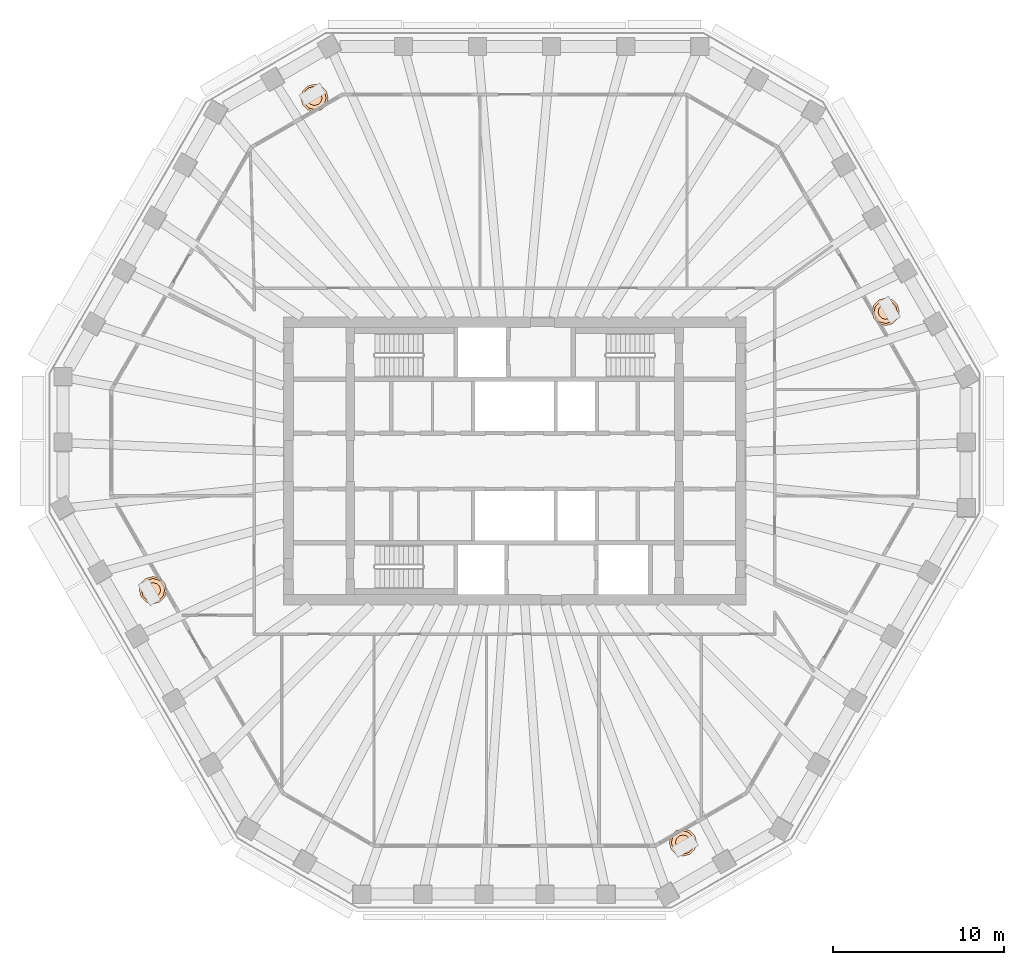
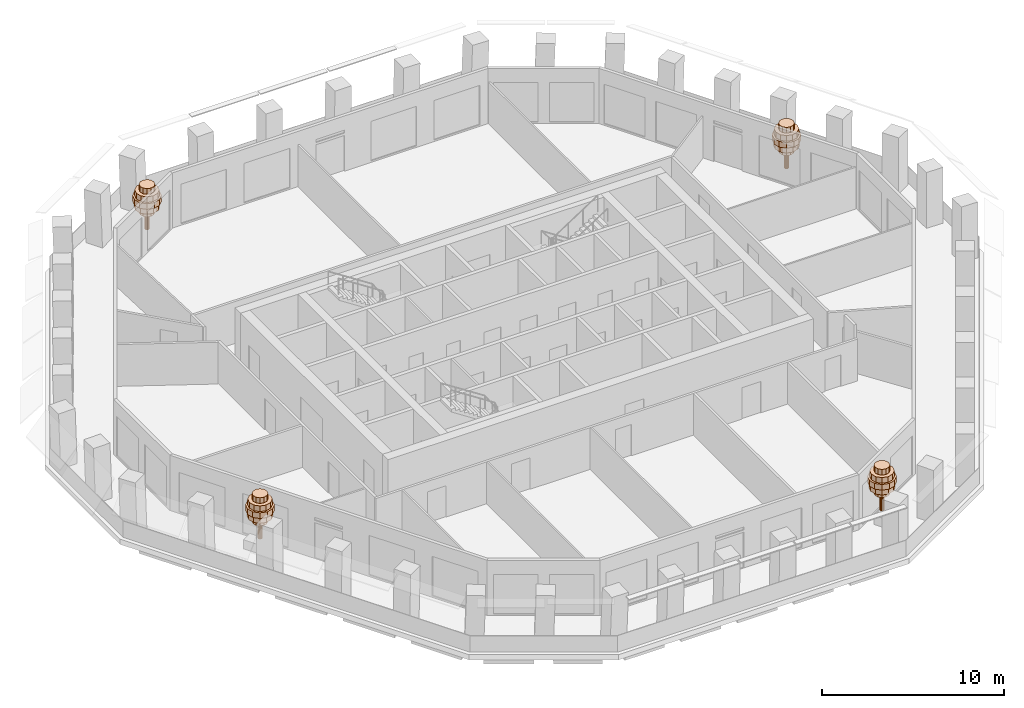
# One storey, part 12 of 12: 4 geographic elements.
"""IFC4 building model written with IfcOpenShell, lengths in metres."""

import ifcopenshell
import ifcopenshell.guid

model = None  # the IFC model being written
_history = None  # IfcOwnerHistory: only IFC2X3 demands one
_inside = {}  # id of a spatial element -> (the spatial element, [elements in it])
_under = {}  # id of a project, library or spatial element -> (it, [spatial elements below it])
_declared = {}  # id of a project -> (the project, [libraries it declares])
_typed = {}  # id of a type object -> (the type object, [elements of that type])
_made_of = {}  # id of a material, layer set ... -> (it, [elements and type objects made of it])


def new_model(schema):
    """Start an empty IFC model of exactly this schema.

    Asked for "IFC4X3", IfcOpenShell would pick the latest addendum, in which some entities
    have other attributes; the version numbers below select the first issue.
    IFC2X3 requires an IfcOwnerHistory on every rooted entity: one is made here for all.
    """
    global model, _history
    if schema == "IFC4X3":
        model = ifcopenshell.file(schema_version=(4, 3, 0, 0))
    else:
        model = ifcopenshell.file(schema=schema)
    _inside.clear()
    _under.clear()
    _declared.clear()
    _typed.clear()
    _made_of.clear()
    _history = None
    if model.schema == "IFC2X3":
        org = make("IfcOrganization", Name="unknown")
        user = make(
            "IfcPersonAndOrganization",
            ThePerson=make("IfcPerson", FamilyName="unknown"),
            TheOrganization=org,
        )
        app = make(
            "IfcApplication",
            ApplicationDeveloper=org,
            Version="unknown",
            ApplicationFullName="unknown",
            ApplicationIdentifier="unknown",
        )
        _history = make(
            "IfcOwnerHistory",
            OwningUser=user,
            OwningApplication=app,
            ChangeAction="ADDED",
            CreationDate=0,
        )
    return model


def make(cls, **values):
    """One entity of the class cls with the attributes given. An attribute that is None is left unset."""
    return model.create_entity(
        cls, **{name: value for name, value in values.items() if value is not None}
    )


def rooted(cls, **values):
    """An entity with a GlobalId (a new one), such as an element, a storey or a relation."""
    return make(cls, GlobalId=ifcopenshell.guid.new(), OwnerHistory=_history, **values)


def si_unit(unit_type, name, prefix=None):
    """IfcSIUnit, for example si_unit("LENGTHUNIT", "METRE", prefix="MILLI")."""
    return make("IfcSIUnit", UnitType=unit_type, Prefix=prefix, Name=name)


def assignment(units):
    """IfcUnitAssignment: the units of a project."""
    return None if units is None else make("IfcUnitAssignment", Units=units)


def point(xyz):
    """IfcCartesianPoint."""
    return None if xyz is None else make("IfcCartesianPoint", Coordinates=xyz)


def direction(xyz):
    """IfcDirection."""
    return None if xyz is None else make("IfcDirection", DirectionRatios=xyz)


def frame(location, z_axis=None, x_axis=None):
    """IfcAxis2Placement3D, a coordinate frame: its origin and axes. An axis left out is left unset."""
    return make(
        "IfcAxis2Placement3D",
        Location=point(location),
        Axis=direction(z_axis),
        RefDirection=direction(x_axis),
    )


def origin():
    """The frame at (0, 0, 0) with its axes left unset."""
    return frame((0.0, 0.0, 0.0))


def place(relative_to, where):
    """IfcLocalPlacement: puts the frame where relative to a parent placement (None: the world)."""
    return make(
        "IfcLocalPlacement", PlacementRelTo=relative_to, RelativePlacement=where
    )


def context(
    kind, dimensions, precision=None, world=None, true_north=None, identifier=None
):
    """IfcGeometricRepresentationContext, for example the 3D "Model" context."""
    return make(
        "IfcGeometricRepresentationContext",
        ContextIdentifier=identifier,
        ContextType=kind,
        CoordinateSpaceDimension=dimensions,
        Precision=precision,
        WorldCoordinateSystem=world,
        TrueNorth=true_north,
    )


def subcontext(parent, identifier, kind, view, scale=None):
    """IfcGeometricRepresentationSubContext, for example "Body" below "Model"."""
    return make(
        "IfcGeometricRepresentationSubContext",
        ContextIdentifier=identifier,
        ContextType=kind,
        ParentContext=parent,
        TargetScale=scale,
        TargetView=view,
    )


def project(units=None, contexts=None):
    """IfcProject with its units and contexts."""
    return rooted(
        "IfcProject",
        Name="project",
        RepresentationContexts=contexts,
        UnitsInContext=assignment(units),
    )


def spatial(cls, under=None, at=None, **own):
    """A site, building, storey or space (cls), placed at a placement, below another one or the project."""
    s = rooted(cls, ObjectPlacement=at, **own)
    if under is not None:
        _under.setdefault(under.id(), (under, []))[1].append(s)
    return s


def polyline(points):
    """IfcPolyline through the points."""
    return make("IfcPolyline", Points=[point(p) for p in points])


def outline(outer, holes=None, kind="AREA"):
    """IfcArbitraryClosedProfileDef: a profile drawn as a closed curve; with holes, ...WithVoids."""
    if holes is None:
        return make("IfcArbitraryClosedProfileDef", ProfileType=kind, OuterCurve=outer)
    return make(
        "IfcArbitraryProfileDefWithVoids",
        ProfileType=kind,
        OuterCurve=outer,
        InnerCurves=holes,
    )


def extrude(swept, where, along, depth):
    """IfcExtrudedAreaSolid: the profile swept, set in the frame where, extruded along a direction by depth."""
    return make(
        "IfcExtrudedAreaSolid",
        SweptArea=swept,
        Position=where,
        ExtrudedDirection=direction(along),
        Depth=depth,
    )


def shape(context_of_items, identifier, shape_type, items):
    """IfcShapeRepresentation: the items that make up one representation, for example the "Body"."""
    return make(
        "IfcShapeRepresentation",
        ContextOfItems=context_of_items,
        RepresentationIdentifier=identifier,
        RepresentationType=shape_type,
        Items=items,
    )


def material(Name=None, Category=None):
    """IfcMaterial."""
    return make("IfcMaterial", Name=Name, Category=Category)


def made_of(thing, what):
    """Note that an element or type object is made of a material, layer set ...; save() writes the relation."""
    if what is not None:
        _made_of.setdefault(what.id(), (what, []))[1].append(thing)
    return thing


def type_object(cls, material=None, **own):
    """A type object (cls), such as IfcWallType, which elements share."""
    return made_of(rooted(cls, **own), material)


def element(
    cls,
    number,
    at=None,
    inside=None,
    cuts=None,
    type_object=None,
    material=None,
    context=None,
    identifier="Body",
    shape_type=None,
    held_by="IfcProductDefinitionShape",
    body=None,
    shapes=None,
    **own,
):
    """One element of the class cls, such as IfcWall. Its Tag is "e" and its number.

    at: its placement. inside: the storey or other place that contains it. cuts: it is an
    opening in that element (IfcRelVoidsElement). A single representation is given by context,
    identifier, shape_type and body (its items); several are given by shapes. held_by: the class
    of the entity that holds the representations. save() writes the other relations.
    """
    e = rooted(cls, Tag="e%d" % number, ObjectPlacement=at, **own)
    if body is not None:
        shapes = [shape(context, identifier, shape_type, body)]
    if shapes is not None:
        e.Representation = make(held_by, Representations=shapes)
    if inside is not None:
        _inside.setdefault(inside.id(), (inside, []))[1].append(e)
    if cuts is not None:
        rooted(
            "IfcRelVoidsElement", RelatingBuildingElement=cuts, RelatedOpeningElement=e
        )
    if type_object is not None:
        _typed.setdefault(type_object.id(), (type_object, []))[1].append(e)
    return made_of(e, material)


def aggregate(whole, parts):
    """IfcRelAggregates: a whole, such as a stair, and the parts it consists of."""
    return rooted("IfcRelAggregates", RelatingObject=whole, RelatedObjects=parts)


def save(model, path):
    """Write the relations noted so far, then the file.

    IfcRelAggregates (storeys below a building ...), IfcRelContainedInSpatialStructure (elements
    in a storey), IfcRelDefinesByType, IfcRelAssociatesMaterial and IfcRelDeclares: one each for
    every whole, place, type object, material and project.
    """
    for whole, parts in _under.values():
        aggregate(whole, parts)
    for where, things in _inside.values():
        rooted(
            "IfcRelContainedInSpatialStructure",
            RelatedElements=things,
            RelatingStructure=where,
        )
    for kind, things in _typed.values():
        rooted("IfcRelDefinesByType", RelatedObjects=things, RelatingType=kind)
    for what, things in _made_of.values():
        rooted("IfcRelAssociatesMaterial", RelatedObjects=things, RelatingMaterial=what)
    for by, libraries in _declared.values():
        rooted("IfcRelDeclares", RelatingContext=by, RelatedDefinitions=libraries)
    model.write(path)


model = new_model("IFC4")

# Units and contexts
model_context = context("Model", 3, precision=1e-05, world=origin(), true_north=direction((0.0, 1.0)))
body_context = subcontext(model_context, "Body", "Model", "MODEL_VIEW")
ifc_project = project(units=[si_unit("LENGTHUNIT", "METRE"), si_unit("AREAUNIT", "SQUARE_METRE"), si_unit("VOLUMEUNIT", "CUBIC_METRE"), si_unit("PLANEANGLEUNIT", "RADIAN"), si_unit("MASSUNIT", "GRAM", prefix="KILO")], contexts=[model_context])

# Site, building, storey
site_placement = place(None, origin())
site = spatial("IfcSite", under=ifc_project, at=site_placement, CompositionType="ELEMENT")
building_placement = place(site_placement, origin())
building = spatial("IfcBuilding", under=site, at=building_placement, Name="Frailejon Research Tower", CompositionType="ELEMENT")
storey_placement = place(building_placement, frame((0.0, 0.0, 245.39990234375)))
storey = spatial("IfcBuildingStorey", under=building, at=storey_placement, Name="L53", CompositionType="ELEMENT", Elevation=245.39990234375)

# Geographic elements
ifc_material = material(Name="Foliage, green")
geographic_element_type = type_object("IfcGeographicElementType", Name="Frailejon tree, loggia", PredefinedType="USERDEFINED", material=ifc_material)
geographic_element_1_placement = place(storey_placement, frame((21.663818359375, 8.714111328125, 0.60009765625)))
element("IfcGeographicElement", 1, at=geographic_element_1_placement, inside=storey, type_object=geographic_element_type, Name="Tree L53", ObjectType="TREE", PredefinedType="USERDEFINED", context=body_context, shape_type="SweptSolid", body=[
    extrude(outline(polyline([(0.1298828125, 0.0), (0.112548828125, 0.06494140625), (0.06494140625, 0.112548828125), (0.0, 0.1298828125), (-0.06494140625, 0.112548828125), (-0.112548828125, 0.06494140625), (-0.1298828125, 0.0), (-0.112548828125, -0.06494140625), (-0.06494140625, -0.112548828125), (0.0, -0.1298828125), (0.06494140625, -0.112548828125), (0.112548828125, -0.06494140625), (0.1298828125, 0.0)])), origin(), (0.0, 0.0, 1.0), 2.239990234375),
    extrude(outline(polyline([(0.43994140625, 0.0), (0.381103515625, 0.219970703125), (0.219970703125, 0.381103515625), (0.0, 0.43994140625), (-0.219970703125, 0.381103515625), (-0.381103515625, 0.219970703125), (-0.43994140625, 0.0), (-0.381103515625, -0.219970703125), (-0.219970703125, -0.381103515625), (0.0, -0.43994140625), (0.219970703125, -0.381103515625), (0.381103515625, -0.219970703125), (0.43994140625, 0.0)])), frame((0.0, 0.0, 1.10009765625)), (0.0, 0.0, 1.0), 0.3798828125),
    extrude(outline(polyline([(0.719970703125, 0.0), (0.62353515625, 0.360107421875), (0.360107421875, 0.62353515625), (0.0, 0.719970703125), (-0.360107421875, 0.62353515625), (-0.62353515625, 0.360107421875), (-0.719970703125, 0.0), (-0.62353515625, -0.360107421875), (-0.360107421875, -0.62353515625), (0.0, -0.719970703125), (0.360107421875, -0.62353515625), (0.62353515625, -0.360107421875), (0.719970703125, 0.0)])), frame((0.0, 0.0, 1.47998046875)), (0.0, 0.0, 1.0), 0.3798828125),
    extrude(outline(polyline([(0.800048828125, 0.0), (0.69287109375, 0.39990234375), (0.39990234375, 0.69287109375), (0.0, 0.800048828125), (-0.39990234375, 0.69287109375), (-0.69287109375, 0.39990234375), (-0.800048828125, 0.0), (-0.69287109375, -0.39990234375), (-0.39990234375, -0.69287109375), (0.0, -0.800048828125), (0.39990234375, -0.69287109375), (0.69287109375, -0.39990234375), (0.800048828125, 0.0)])), frame((0.0, 0.0, 1.860107421875)), (0.0, 0.0, 1.0), 0.3798828125),
    extrude(outline(polyline([(0.679931640625, 0.0), (0.5888671875, 0.340087890625), (0.340087890625, 0.5888671875), (0.0, 0.679931640625), (-0.340087890625, 0.5888671875), (-0.5888671875, 0.340087890625), (-0.679931640625, 0.0), (-0.5888671875, -0.340087890625), (-0.340087890625, -0.5888671875), (0.0, -0.679931640625), (0.340087890625, -0.5888671875), (0.5888671875, -0.340087890625), (0.679931640625, 0.0)])), frame((0.0, 0.0, 2.239990234375)), (0.0, 0.0, 1.0), 0.3798828125),
    extrude(outline(polyline([(0.43994140625, 0.0), (0.381103515625, 0.219970703125), (0.219970703125, 0.381103515625), (0.0, 0.43994140625), (-0.219970703125, 0.381103515625), (-0.381103515625, 0.219970703125), (-0.43994140625, 0.0), (-0.381103515625, -0.219970703125), (-0.219970703125, -0.381103515625), (0.0, -0.43994140625), (0.219970703125, -0.381103515625), (0.381103515625, -0.219970703125), (0.43994140625, 0.0)])), frame((0.0, 0.0, 2.6201171875)), (0.0, 0.0, 1.0), 0.3798828125),
])
geographic_element_2_placement = place(storey_placement, frame((-11.68212890625, 21.200439453125, 0.60009765625)))
element("IfcGeographicElement", 2, at=geographic_element_2_placement, inside=storey, type_object=geographic_element_type, Name="Tree L53", ObjectType="TREE", PredefinedType="USERDEFINED", context=body_context, shape_type="SweptSolid", body=[
    extrude(outline(polyline([(0.1298828125, 0.0), (0.112548828125, 0.06494140625), (0.06494140625, 0.112548828125), (0.0, 0.1298828125), (-0.06494140625, 0.112548828125), (-0.112548828125, 0.06494140625), (-0.1298828125, 0.0), (-0.112548828125, -0.06494140625), (-0.06494140625, -0.112548828125), (0.0, -0.1298828125), (0.06494140625, -0.112548828125), (0.112548828125, -0.06494140625), (0.1298828125, 0.0)])), origin(), (0.0, 0.0, 1.0), 2.239990234375),
    extrude(outline(polyline([(0.43994140625, 0.0), (0.381103515625, 0.219970703125), (0.219970703125, 0.381103515625), (0.0, 0.43994140625), (-0.219970703125, 0.381103515625), (-0.381103515625, 0.219970703125), (-0.43994140625, 0.0), (-0.381103515625, -0.219970703125), (-0.219970703125, -0.381103515625), (0.0, -0.43994140625), (0.219970703125, -0.381103515625), (0.381103515625, -0.219970703125), (0.43994140625, 0.0)])), frame((0.0, 0.0, 1.10009765625)), (0.0, 0.0, 1.0), 0.3798828125),
    extrude(outline(polyline([(0.719970703125, 0.0), (0.62353515625, 0.360107421875), (0.360107421875, 0.62353515625), (0.0, 0.719970703125), (-0.360107421875, 0.62353515625), (-0.62353515625, 0.360107421875), (-0.719970703125, 0.0), (-0.62353515625, -0.360107421875), (-0.360107421875, -0.62353515625), (0.0, -0.719970703125), (0.360107421875, -0.62353515625), (0.62353515625, -0.360107421875), (0.719970703125, 0.0)])), frame((0.0, 0.0, 1.47998046875)), (0.0, 0.0, 1.0), 0.3798828125),
    extrude(outline(polyline([(0.800048828125, 0.0), (0.69287109375, 0.39990234375), (0.39990234375, 0.69287109375), (0.0, 0.800048828125), (-0.39990234375, 0.69287109375), (-0.69287109375, 0.39990234375), (-0.800048828125, 0.0), (-0.69287109375, -0.39990234375), (-0.39990234375, -0.69287109375), (0.0, -0.800048828125), (0.39990234375, -0.69287109375), (0.69287109375, -0.39990234375), (0.800048828125, 0.0)])), frame((0.0, 0.0, 1.860107421875)), (0.0, 0.0, 1.0), 0.3798828125),
    extrude(outline(polyline([(0.679931640625, 0.0), (0.5888671875, 0.340087890625), (0.340087890625, 0.5888671875), (0.0, 0.679931640625), (-0.340087890625, 0.5888671875), (-0.5888671875, 0.340087890625), (-0.679931640625, 0.0), (-0.5888671875, -0.340087890625), (-0.340087890625, -0.5888671875), (0.0, -0.679931640625), (0.340087890625, -0.5888671875), (0.5888671875, -0.340087890625), (0.679931640625, 0.0)])), frame((0.0, 0.0, 2.239990234375)), (0.0, 0.0, 1.0), 0.3798828125),
    extrude(outline(polyline([(0.43994140625, 0.0), (0.381103515625, 0.219970703125), (0.219970703125, 0.381103515625), (0.0, 0.43994140625), (-0.219970703125, 0.381103515625), (-0.381103515625, 0.219970703125), (-0.43994140625, 0.0), (-0.381103515625, -0.219970703125), (-0.219970703125, -0.381103515625), (0.0, -0.43994140625), (0.219970703125, -0.381103515625), (0.381103515625, -0.219970703125), (0.43994140625, 0.0)])), frame((0.0, 0.0, 2.6201171875)), (0.0, 0.0, 1.0), 0.3798828125),
])
geographic_element_3_placement = place(storey_placement, frame((-21.108642578125, -7.538818359375, 0.60009765625)))
element("IfcGeographicElement", 3, at=geographic_element_3_placement, inside=storey, type_object=geographic_element_type, Name="Tree L53", ObjectType="TREE", PredefinedType="USERDEFINED", context=body_context, shape_type="SweptSolid", body=[
    extrude(outline(polyline([(0.1298828125, 0.0), (0.112548828125, 0.06494140625), (0.06494140625, 0.112548828125), (0.0, 0.1298828125), (-0.06494140625, 0.112548828125), (-0.112548828125, 0.06494140625), (-0.1298828125, 0.0), (-0.112548828125, -0.06494140625), (-0.06494140625, -0.112548828125), (0.0, -0.1298828125), (0.06494140625, -0.112548828125), (0.112548828125, -0.06494140625), (0.1298828125, 0.0)])), origin(), (0.0, 0.0, 1.0), 2.239990234375),
    extrude(outline(polyline([(0.43994140625, 0.0), (0.381103515625, 0.219970703125), (0.219970703125, 0.381103515625), (0.0, 0.43994140625), (-0.219970703125, 0.381103515625), (-0.381103515625, 0.219970703125), (-0.43994140625, 0.0), (-0.381103515625, -0.219970703125), (-0.219970703125, -0.381103515625), (0.0, -0.43994140625), (0.219970703125, -0.381103515625), (0.381103515625, -0.219970703125), (0.43994140625, 0.0)])), frame((0.0, 0.0, 1.10009765625)), (0.0, 0.0, 1.0), 0.3798828125),
    extrude(outline(polyline([(0.719970703125, 0.0), (0.62353515625, 0.360107421875), (0.360107421875, 0.62353515625), (0.0, 0.719970703125), (-0.360107421875, 0.62353515625), (-0.62353515625, 0.360107421875), (-0.719970703125, 0.0), (-0.62353515625, -0.360107421875), (-0.360107421875, -0.62353515625), (0.0, -0.719970703125), (0.360107421875, -0.62353515625), (0.62353515625, -0.360107421875), (0.719970703125, 0.0)])), frame((0.0, 0.0, 1.47998046875)), (0.0, 0.0, 1.0), 0.3798828125),
    extrude(outline(polyline([(0.800048828125, 0.0), (0.69287109375, 0.39990234375), (0.39990234375, 0.69287109375), (0.0, 0.800048828125), (-0.39990234375, 0.69287109375), (-0.69287109375, 0.39990234375), (-0.800048828125, 0.0), (-0.69287109375, -0.39990234375), (-0.39990234375, -0.69287109375), (0.0, -0.800048828125), (0.39990234375, -0.69287109375), (0.69287109375, -0.39990234375), (0.800048828125, 0.0)])), frame((0.0, 0.0, 1.860107421875)), (0.0, 0.0, 1.0), 0.3798828125),
    extrude(outline(polyline([(0.679931640625, 0.0), (0.5888671875, 0.340087890625), (0.340087890625, 0.5888671875), (0.0, 0.679931640625), (-0.340087890625, 0.5888671875), (-0.5888671875, 0.340087890625), (-0.679931640625, 0.0), (-0.5888671875, -0.340087890625), (-0.340087890625, -0.5888671875), (0.0, -0.679931640625), (0.340087890625, -0.5888671875), (0.5888671875, -0.340087890625), (0.679931640625, 0.0)])), frame((0.0, 0.0, 2.239990234375)), (0.0, 0.0, 1.0), 0.3798828125),
    extrude(outline(polyline([(0.43994140625, 0.0), (0.381103515625, 0.219970703125), (0.219970703125, 0.381103515625), (0.0, 0.43994140625), (-0.219970703125, 0.381103515625), (-0.381103515625, 0.219970703125), (-0.43994140625, 0.0), (-0.381103515625, -0.219970703125), (-0.219970703125, -0.381103515625), (0.0, -0.43994140625), (0.219970703125, -0.381103515625), (0.381103515625, -0.219970703125), (0.43994140625, 0.0)])), frame((0.0, 0.0, 2.6201171875)), (0.0, 0.0, 1.0), 0.3798828125),
])
geographic_element_4_placement = place(storey_placement, frame((9.83154296875, -22.26904296875, 0.60009765625)))
element("IfcGeographicElement", 4, at=geographic_element_4_placement, inside=storey, type_object=geographic_element_type, Name="Tree L53", ObjectType="TREE", PredefinedType="USERDEFINED", context=body_context, shape_type="SweptSolid", body=[
    extrude(outline(polyline([(0.1298828125, 0.0), (0.112548828125, 0.06494140625), (0.06494140625, 0.112548828125), (0.0, 0.1298828125), (-0.06494140625, 0.112548828125), (-0.112548828125, 0.06494140625), (-0.1298828125, 0.0), (-0.112548828125, -0.06494140625), (-0.06494140625, -0.112548828125), (0.0, -0.1298828125), (0.06494140625, -0.112548828125), (0.112548828125, -0.06494140625), (0.1298828125, 0.0)])), origin(), (0.0, 0.0, 1.0), 2.239990234375),
    extrude(outline(polyline([(0.43994140625, 0.0), (0.381103515625, 0.219970703125), (0.219970703125, 0.381103515625), (0.0, 0.43994140625), (-0.219970703125, 0.381103515625), (-0.381103515625, 0.219970703125), (-0.43994140625, 0.0), (-0.381103515625, -0.219970703125), (-0.219970703125, -0.381103515625), (0.0, -0.43994140625), (0.219970703125, -0.381103515625), (0.381103515625, -0.219970703125), (0.43994140625, 0.0)])), frame((0.0, 0.0, 1.10009765625)), (0.0, 0.0, 1.0), 0.3798828125),
    extrude(outline(polyline([(0.719970703125, 0.0), (0.62353515625, 0.360107421875), (0.360107421875, 0.62353515625), (0.0, 0.719970703125), (-0.360107421875, 0.62353515625), (-0.62353515625, 0.360107421875), (-0.719970703125, 0.0), (-0.62353515625, -0.360107421875), (-0.360107421875, -0.62353515625), (0.0, -0.719970703125), (0.360107421875, -0.62353515625), (0.62353515625, -0.360107421875), (0.719970703125, 0.0)])), frame((0.0, 0.0, 1.47998046875)), (0.0, 0.0, 1.0), 0.3798828125),
    extrude(outline(polyline([(0.800048828125, 0.0), (0.69287109375, 0.39990234375), (0.39990234375, 0.69287109375), (0.0, 0.800048828125), (-0.39990234375, 0.69287109375), (-0.69287109375, 0.39990234375), (-0.800048828125, 0.0), (-0.69287109375, -0.39990234375), (-0.39990234375, -0.69287109375), (0.0, -0.800048828125), (0.39990234375, -0.69287109375), (0.69287109375, -0.39990234375), (0.800048828125, 0.0)])), frame((0.0, 0.0, 1.860107421875)), (0.0, 0.0, 1.0), 0.3798828125),
    extrude(outline(polyline([(0.679931640625, 0.0), (0.5888671875, 0.340087890625), (0.340087890625, 0.5888671875), (0.0, 0.679931640625), (-0.340087890625, 0.5888671875), (-0.5888671875, 0.340087890625), (-0.679931640625, 0.0), (-0.5888671875, -0.340087890625), (-0.340087890625, -0.5888671875), (0.0, -0.679931640625), (0.340087890625, -0.5888671875), (0.5888671875, -0.340087890625), (0.679931640625, 0.0)])), frame((0.0, 0.0, 2.239990234375)), (0.0, 0.0, 1.0), 0.3798828125),
    extrude(outline(polyline([(0.43994140625, 0.0), (0.381103515625, 0.219970703125), (0.219970703125, 0.381103515625), (0.0, 0.43994140625), (-0.219970703125, 0.381103515625), (-0.381103515625, 0.219970703125), (-0.43994140625, 0.0), (-0.381103515625, -0.219970703125), (-0.219970703125, -0.381103515625), (0.0, -0.43994140625), (0.219970703125, -0.381103515625), (0.381103515625, -0.219970703125), (0.43994140625, 0.0)])), frame((0.0, 0.0, 2.6201171875)), (0.0, 0.0, 1.0), 0.3798828125),
])

save(model, "model.ifc")
